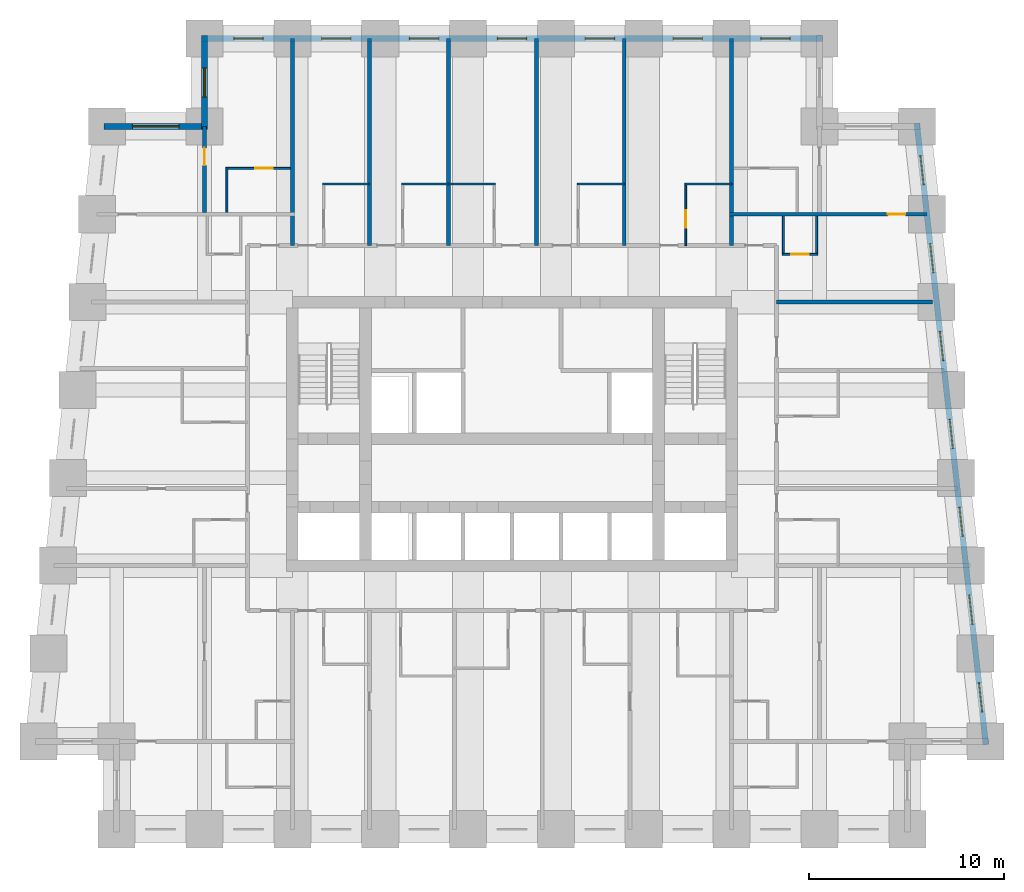
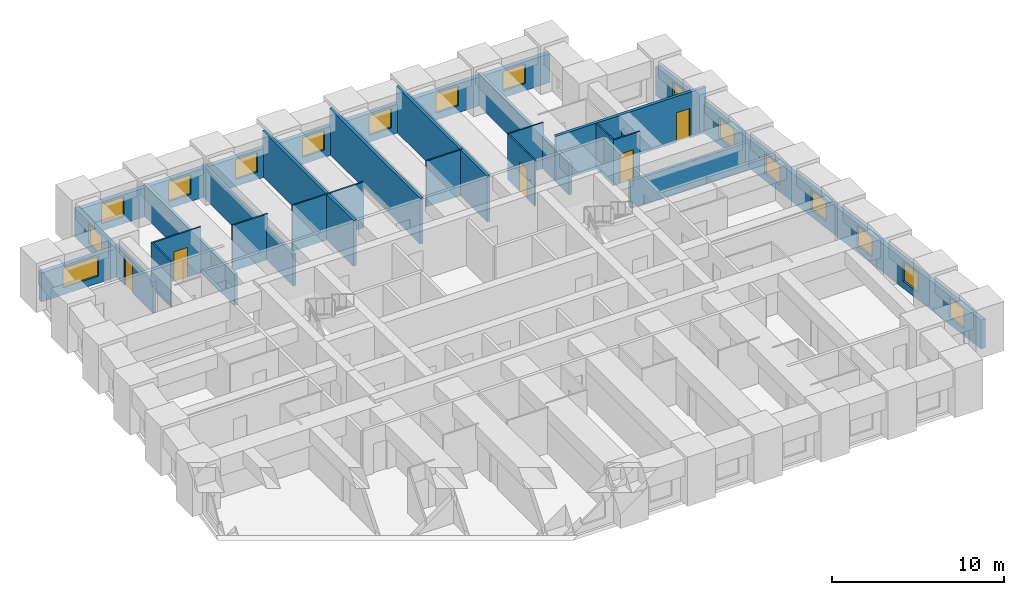
# One storey, part 6 of 8: 24 walls, 16 windows, 5 doors, 21 openings.
"""IFC4 building model written with IfcOpenShell, lengths in metres."""

from ifc_helpers import new_model, si_unit, direction, frame, frame_2d, origin, place, context, subcontext, project, spatial, rectangle, extrude, material, layer, layer_set, type_object, element, fill, save


model = new_model("IFC4")

# Units and contexts
model_context = context("Model", 3, precision=1e-05, world=origin(), true_north=direction((0.0, 1.0)))
body_context = subcontext(model_context, "Body", "Model", "MODEL_VIEW")
ifc_project = project(units=[si_unit("LENGTHUNIT", "METRE"), si_unit("AREAUNIT", "SQUARE_METRE"), si_unit("VOLUMEUNIT", "CUBIC_METRE"), si_unit("PLANEANGLEUNIT", "RADIAN"), si_unit("MASSUNIT", "GRAM", prefix="KILO")], contexts=[model_context])

# Site, building, storey
site_placement = place(None, origin())
site = spatial("IfcSite", under=ifc_project, at=site_placement, CompositionType="ELEMENT")
building_placement = place(site_placement, origin())
building = spatial("IfcBuilding", under=site, at=building_placement, Name="Kilele Tower Hotel", CompositionType="ELEMENT")
storey_placement = place(building_placement, frame((0.0, 0.0, 54.199951171875)))
storey = spatial("IfcBuildingStorey", under=building, at=storey_placement, Name="L12", CompositionType="ELEMENT", Elevation=54.199951171875)

# Walls
ifc_material_1 = material(Name="Moisture-resistant board")
ifc_layer_1 = layer(ifc_material_1, 0.10009765625)
ifc_layer_set_1 = layer_set([ifc_layer_1], Name="Moisture-resistant board")
wall_type_1 = type_object("IfcWallType", Name="Bathroom partition 100", PredefinedType="PLUMBINGWALL", material=ifc_layer_set_1)
for number, where, z_axis, x_axis, name in (
    (1, (15.050048828125, 33.050048828125, 0.0), (0.0, 0.0, 1.0), (1.0, 0.0, 0.0), "Bathroom partition 100 L12"),
    (2, (19.10009765625, 33.050048828125, 0.0), (0.0, 0.0, 1.0), (1.0, 0.0, 0.0), "Bathroom partition 100 L12"),
    (3, (21.5, 33.050048828125, 0.0), (0.0, 0.0, 1.0), (1.0, 0.0, 0.0), "Bathroom partition 100 L12"),
    (4, (28.10009765625, 33.050048828125, 0.0), (0.0, 0.0, 1.0), (1.0, 0.0, 0.0), "Bathroom partition 100 L12"),
    (5, (33.60009765625, 33.050048828125, 0.0), (0.0, 0.0, 1.0), (1.0, 0.0, 0.0), "Bathroom partition 100 L12"),
):
    element("IfcWall", number, at=place(storey_placement, frame(where, z_axis=z_axis, x_axis=x_axis)), inside=storey, type_object=wall_type_1, Name=name, PredefinedType="PLUMBINGWALL", context=body_context, shape_type="SweptSolid", body=[
        extrude(rectangle(XDim=2.39990234375, YDim=0.10009765625, at=frame_2d((1.199951171875, 0.0))), origin(), (0.0, 0.0, 1.0), 3.25),
    ])

# Wall, opening, door
wall_1_placement = place(storey_placement, frame((33.64990234375, 29.89990234375, 0.0), z_axis=(0.0, 0.0, 1.0), x_axis=(0.0, 1.0, 0.0)))
wall_1 = element("IfcWall", 6, at=wall_1_placement, inside=storey, type_object=wall_type_1, Name="Bathroom partition 100 L12", PredefinedType="PLUMBINGWALL", context=body_context, shape_type="SweptSolid", body=[
    extrude(rectangle(XDim=3.2001953125, YDim=0.10009765625, at=frame_2d((1.60009765625, 0.0))), origin(), (0.0, 0.0, 1.0), 3.25),
])
opening_1_placement = place(wall_1_placement, frame((0.89990234375, 0.0, 0.0)))
opening_1 = element("IfcOpeningElement", 7, at=opening_1_placement, cuts=wall_1, Name="Opening D2A", PredefinedType="OPENING", context=body_context, shape_type="SweptSolid", body=[
    extrude(rectangle(XDim=0.89990234375, YDim=2.10009765625, at=frame_2d((0.449951171875, 1.050048828125))), frame((0.0, 0.06005859375, 0.0), z_axis=(0.0, -1.0, 0.0), x_axis=(1.0, 0.0, 0.0)), (0.0, 0.0, 1.0), 0.1201171875),
])
ifc_material_2 = material(Name="Timber door leaf in hardwood frame", Category="wood")
door_type_1 = type_object("IfcDoorType", Name="Bathroom door 900", OperationType="SINGLE_SWING_LEFT", PredefinedType="DOOR", material=ifc_material_2)
door_1_placement = place(opening_1_placement, origin())
door_1 = element("IfcDoor", 8, at=door_1_placement, inside=storey, type_object=door_type_1, Name="Bathroom door 1213B", OperationType="SINGLE_SWING_LEFT", OverallHeight=2.10009765625, OverallWidth=0.89990234375, PredefinedType="DOOR", context=body_context, shape_type="SweptSolid", body=[
    extrude(rectangle(XDim=0.89990234375, YDim=2.10009765625, at=frame_2d((0.449951171875, 1.050048828125))), frame((0.0, 0.02490234375, 0.0), z_axis=(0.0, -1.0, 0.0), x_axis=(1.0, 0.0, 0.0)), (0.0, 0.0, 1.0), 0.050048828125),
])
fill(opening_1, door_1)

# Walls
wall_2_placement = place(storey_placement, frame((40.35009765625, 31.39990234375, 0.0), z_axis=(0.0, 0.0, 1.0), x_axis=(0.0, -1.0, 0.0)))
element("IfcWall", 9, at=wall_2_placement, inside=storey, type_object=wall_type_1, Name="Bathroom partition 100 L12", PredefinedType="PLUMBINGWALL", context=body_context, shape_type="SweptSolid", body=[
    extrude(rectangle(XDim=2.0, YDim=0.10009765625, at=frame_2d((1.0, 0.0))), origin(), (0.0, 0.0, 1.0), 2.25),
])
wall_3_placement = place(storey_placement, frame((38.64990234375, 31.39990234375, 0.0), z_axis=(0.0, 0.0, 1.0), x_axis=(0.0, -1.0, 0.0)))
element("IfcWall", 10, at=wall_3_placement, inside=storey, type_object=wall_type_1, Name="Bathroom partition 100 L12", PredefinedType="PLUMBINGWALL", context=body_context, shape_type="SweptSolid", body=[
    extrude(rectangle(XDim=2.0, YDim=0.10009765625, at=frame_2d((1.0, 0.0))), origin(), (0.0, 0.0, 1.0), 3.25),
])

# Wall, opening, door
wall_4_placement = place(storey_placement, frame((38.60009765625, 29.449951171875, 0.0), z_axis=(0.0, 0.0, 1.0), x_axis=(1.0, 0.0, 0.0)))
wall_4 = element("IfcWall", 11, at=wall_4_placement, inside=storey, type_object=wall_type_1, Name="Bathroom partition 100 L12", PredefinedType="PLUMBINGWALL", context=body_context, shape_type="SweptSolid", body=[
    extrude(rectangle(XDim=1.7998046875, YDim=0.10009765625, at=frame_2d((0.89990234375, 0.0))), origin(), (0.0, 0.0, 1.0), 3.25),
])
opening_2_placement = place(wall_4_placement, frame((1.349853515625, 0.0, 0.0), z_axis=(0.0, 0.0, 1.0), x_axis=(-1.0, 0.0, 0.0)))
opening_2 = element("IfcOpeningElement", 12, at=opening_2_placement, cuts=wall_4, Name="Opening D2A", PredefinedType="OPENING", context=body_context, shape_type="SweptSolid", body=[
    extrude(rectangle(XDim=0.89990234375, YDim=2.10009765625, at=frame_2d((0.449951171875, 1.050048828125))), frame((0.0, 0.06005859375, 0.0), z_axis=(0.0, -1.0, 0.0), x_axis=(1.0, 0.0, 0.0)), (0.0, 0.0, 1.0), 0.1201171875),
])
door_2_placement = place(opening_2_placement, origin())
door_2 = element("IfcDoor", 13, at=door_2_placement, inside=storey, type_object=door_type_1, Name="Bathroom door 1223P", OperationType="SINGLE_SWING_RIGHT", OverallHeight=2.10009765625, OverallWidth=0.89990234375, PredefinedType="DOOR", context=body_context, shape_type="SweptSolid", body=[
    extrude(rectangle(XDim=0.89990234375, YDim=2.10009765625, at=frame_2d((0.449951171875, 1.050048828125))), frame((0.0, 0.02490234375, 0.0), z_axis=(0.0, -1.0, 0.0), x_axis=(1.0, 0.0, 0.0)), (0.0, 0.0, 1.0), 0.050048828125),
])
fill(opening_2, door_2)

# Wall
wall_5_placement = place(storey_placement, frame((10.14990234375, 31.60009765625, 0.0), z_axis=(0.0, 0.0, 1.0), x_axis=(0.0, 1.0, 0.0)))
element("IfcWall", 14, at=wall_5_placement, inside=storey, type_object=wall_type_1, Name="Bathroom partition 100 L12", PredefinedType="PLUMBINGWALL", context=body_context, shape_type="SweptSolid", body=[
    extrude(rectangle(XDim=2.2998046875, YDim=0.10009765625, at=frame_2d((1.14990234375, 0.0))), origin(), (0.0, 0.0, 1.0), 3.25),
])

# Wall, opening, door
wall_6_placement = place(storey_placement, frame((13.39990234375, 33.85009765625, 0.0), z_axis=(0.0, 0.0, 1.0), x_axis=(-1.0, 0.0, 0.0)))
wall_6 = element("IfcWall", 15, at=wall_6_placement, inside=storey, type_object=wall_type_1, Name="Bathroom partition 100 L12", PredefinedType="PLUMBINGWALL", context=body_context, shape_type="SweptSolid", body=[
    extrude(rectangle(XDim=3.2998046875, YDim=0.10009765625, at=frame_2d((1.64990234375, 0.0))), origin(), (0.0, 0.0, 1.0), 3.25),
])
opening_3_placement = place(wall_6_placement, frame((1.7998046875, 0.0, 0.0), z_axis=(0.0, 0.0, 1.0), x_axis=(-1.0, 0.0, 0.0)))
opening_3 = element("IfcOpeningElement", 16, at=opening_3_placement, cuts=wall_6, Name="Opening D2A", PredefinedType="OPENING", context=body_context, shape_type="SweptSolid", body=[
    extrude(rectangle(XDim=0.89990234375, YDim=2.10009765625, at=frame_2d((0.449951171875, 1.050048828125))), frame((0.0, 0.06005859375, 0.0), z_axis=(0.0, -1.0, 0.0), x_axis=(1.0, 0.0, 0.0)), (0.0, 0.0, 1.0), 0.1201171875),
])
door_3_placement = place(opening_3_placement, origin())
door_3 = element("IfcDoor", 17, at=door_3_placement, inside=storey, type_object=door_type_1, Name="Bathroom door 1227B", OperationType="SINGLE_SWING_RIGHT", OverallHeight=2.10009765625, OverallWidth=0.89990234375, PredefinedType="DOOR", context=body_context, shape_type="SweptSolid", body=[
    extrude(rectangle(XDim=0.89990234375, YDim=2.10009765625, at=frame_2d((0.449951171875, 1.050048828125))), frame((0.0, 0.02490234375, 0.0), z_axis=(0.0, -1.0, 0.0), x_axis=(1.0, 0.0, 0.0)), (0.0, 0.0, 1.0), 0.050048828125),
])
fill(opening_3, door_3)

ifc_material_3 = material(Name="Blockwork, plastered both sides", Category="masonry")
ifc_layer_2 = layer(ifc_material_3, 0.199951171875)
ifc_layer_set_2 = layer_set([ifc_layer_2], Name="Blockwork, plastered both sides")
wall_type_2 = type_object("IfcWallType", Name="Partition wall 200", PredefinedType="PARTITIONING", material=ifc_layer_set_2)
wall_7_placement = place(storey_placement, frame((9.0, 31.60009765625, 0.0), z_axis=(0.0, 0.0, 1.0), x_axis=(0.0, 1.0, 0.0)))
wall_7 = element("IfcWall", 18, at=wall_7_placement, inside=storey, type_object=wall_type_2, Name="Partition wall 200 L12", PredefinedType="PARTITIONING", context=body_context, shape_type="SweptSolid", body=[
    extrude(rectangle(XDim=4.39990234375, YDim=0.199951171875, at=frame_2d((2.199951171875, 0.0))), origin(), (0.0, 0.0, 1.0), 2.25),
])
opening_4_placement = place(wall_7_placement, frame((2.39990234375, 0.0, 0.0)))
opening_4 = element("IfcOpeningElement", 19, at=opening_4_placement, cuts=wall_7, Name="Opening D3", PredefinedType="OPENING", context=body_context, shape_type="SweptSolid", body=[
    extrude(rectangle(XDim=0.89990234375, YDim=2.10009765625, at=frame_2d((0.449951171875, 1.050048828125))), frame((0.0, 0.10986328125, 0.0), z_axis=(0.0, -1.0, 0.0), x_axis=(1.0, 0.0, 0.0)), (0.0, 0.0, 1.0), 0.219970703125),
])
ifc_material_4 = material(Name="Timber door leaf in hardwood frame", Category="wood")
door_type_2 = type_object("IfcDoorType", Name="Suite internal door 900", OperationType="SINGLE_SWING_LEFT", PredefinedType="DOOR", material=ifc_material_4)
door_4_placement = place(opening_4_placement, origin())
door_4 = element("IfcDoor", 20, at=door_4_placement, inside=storey, type_object=door_type_2, Name="Suite door 1228", OperationType="SINGLE_SWING_RIGHT", OverallHeight=2.10009765625, OverallWidth=0.89990234375, PredefinedType="DOOR", context=body_context, shape_type="SweptSolid", body=[
    extrude(rectangle(XDim=0.89990234375, YDim=2.10009765625, at=frame_2d((0.449951171875, 1.050048828125))), frame((0.0, 0.02490234375, 0.0), z_axis=(0.0, -1.0, 0.0), x_axis=(1.0, 0.0, 0.0)), (0.0, 0.0, 1.0), 0.050048828125),
])
fill(opening_4, door_4)

# Walls
ifc_material_5 = material(Name="Blockwork, plastered both sides", Category="masonry")
ifc_layer_3 = layer(ifc_material_5, 0.199951171875)
ifc_layer_set_3 = layer_set([ifc_layer_3], Name="Blockwork, plastered both sides")
wall_type_3 = type_object("IfcWallType", Name="Party wall 200", PredefinedType="PARTITIONING", material=ifc_layer_set_3)
wall_8_placement = place(storey_placement, frame((17.449951171875, 29.89990234375, 0.0), z_axis=(0.0, 0.0, 1.0), x_axis=(0.0, 1.0, 0.0)))
element("IfcWall", 21, at=wall_8_placement, inside=storey, type_object=wall_type_3, Name="Party wall 200 L12", PredefinedType="PARTITIONING", context=body_context, shape_type="SweptSolid", body=[
    extrude(rectangle(XDim=10.60009765625, YDim=0.199951171875, at=frame_2d((5.300048828125, 0.0))), origin(), (0.0, 0.0, 1.0), 2.25),
])
for number, where, z_axis, x_axis, name in (
    (22, (21.5, 29.89990234375, 0.0), (0.0, 0.0, 1.0), (0.0, 1.0, 0.0), "Party wall 200 L12"),
    (23, (26.0, 29.89990234375, 0.0), (0.0, 0.0, 1.0), (0.0, 1.0, 0.0), "Party wall 200 L12"),
    (24, (30.5, 29.89990234375, 0.0), (0.0, 0.0, 1.0), (0.0, 1.0, 0.0), "Party wall 200 L12"),
):
    element("IfcWall", number, at=place(storey_placement, frame(where, z_axis=z_axis, x_axis=x_axis)), inside=storey, type_object=wall_type_3, Name=name, PredefinedType="PARTITIONING", context=body_context, shape_type="SweptSolid", body=[
        extrude(rectangle(XDim=10.60009765625, YDim=0.199951171875, at=frame_2d((5.300048828125, 0.0))), origin(), (0.0, 0.0, 1.0), 3.25),
    ])
wall_9_placement = place(storey_placement, frame((38.300048828125, 27.0, 0.0), z_axis=(0.0, 0.0, 1.0), x_axis=(1.0, 0.0, 0.0)))
element("IfcWall", 25, at=wall_9_placement, inside=storey, type_object=wall_type_3, Name="Party wall 200 L12", PredefinedType="PARTITIONING", context=body_context, shape_type="SweptSolid", body=[
    extrude(rectangle(XDim=7.976806640625, YDim=0.199951171875, at=frame_2d((3.98828125, 0.0))), origin(), (0.0, 0.0, 1.0), 1.949951171875),
])
wall_10_placement = place(storey_placement, frame((36.0, 29.89990234375, 0.0), z_axis=(0.0, 0.0, 1.0), x_axis=(0.0, 1.0, 0.0)))
element("IfcWall", 26, at=wall_10_placement, inside=storey, type_object=wall_type_3, Name="Party wall 200 L12", PredefinedType="PARTITIONING", context=body_context, shape_type="SweptSolid", body=[
    extrude(rectangle(XDim=10.60009765625, YDim=0.199951171875, at=frame_2d((5.300048828125, 0.0))), origin(), (0.0, 0.0, 1.0), 2.25),
])

# Wall, opening, door
wall_11_placement = place(storey_placement, frame((35.89990234375, 31.5, 0.0), z_axis=(0.0, 0.0, 1.0), x_axis=(1.0, 0.0, 0.0)))
wall_11 = element("IfcWall", 27, at=wall_11_placement, inside=storey, type_object=wall_type_3, Name="Party wall 200 L12", PredefinedType="PARTITIONING", context=body_context, shape_type="SweptSolid", body=[
    extrude(rectangle(XDim=10.09912109375, YDim=0.199951171875, at=frame_2d((5.049560546875, 0.0))), origin(), (0.0, 0.0, 1.0), 3.25),
])
opening_5_placement = place(wall_11_placement, frame((8.09912109375, 0.0, 0.0)))
opening_5 = element("IfcOpeningElement", 28, at=opening_5_placement, cuts=wall_11, Name="Opening D3", PredefinedType="OPENING", context=body_context, shape_type="SweptSolid", body=[
    extrude(rectangle(XDim=0.89990234375, YDim=2.10009765625, at=frame_2d((0.449951171875, 1.050048828125))), frame((0.0, 0.10986328125, 0.0), z_axis=(0.0, -1.0, 0.0), x_axis=(1.0, 0.0, 0.0)), (0.0, 0.0, 1.0), 0.219970703125),
])
door_5_placement = place(opening_5_placement, origin())
door_5 = element("IfcDoor", 29, at=door_5_placement, inside=storey, type_object=door_type_2, Name="Suite door 1224", OperationType="SINGLE_SWING_RIGHT", OverallHeight=2.10009765625, OverallWidth=0.89990234375, PredefinedType="DOOR", context=body_context, shape_type="SweptSolid", body=[
    extrude(rectangle(XDim=0.89990234375, YDim=2.10009765625, at=frame_2d((0.449951171875, 1.050048828125))), frame((0.0, 0.02490234375, 0.0), z_axis=(0.0, -1.0, 0.0), x_axis=(1.0, 0.0, 0.0)), (0.0, 0.0, 1.0), 0.050048828125),
])
fill(opening_5, door_5)

# Wall
wall_12_placement = place(storey_placement, frame((13.5, 29.89990234375, 0.0), z_axis=(0.0, 0.0, 1.0), x_axis=(0.0, 1.0, 0.0)))
element("IfcWall", 30, at=wall_12_placement, inside=storey, type_object=wall_type_3, Name="Party wall 200 L12", PredefinedType="PARTITIONING", context=body_context, shape_type="SweptSolid", body=[
    extrude(rectangle(XDim=10.60009765625, YDim=0.199951171875, at=frame_2d((5.300048828125, 0.0))), origin(), (0.0, 0.0, 1.0), 2.25),
])

# Wall, openings, windows
ifc_material_6 = material(Name="Concrete C40/50 precast", Category="concrete")
ifc_layer_4 = layer(ifc_material_6, 0.260009765625, Name="Precast backing", Category="LoadBearing")
ifc_material_7 = material(Name="Reconstituted stone finish", Category="masonry")
ifc_layer_5 = layer(ifc_material_7, 0.0400390625, Name="Face mix", Category="Finish")
ifc_layer_set_4 = layer_set([ifc_layer_4, ifc_layer_5], Name="Precast concrete C40/50, reconstituted stone finish")
wall_type_4 = type_object("IfcWallType", Name="Precast stone facade wall 300", PredefinedType="STANDARD", material=ifc_layer_set_4)
wall_13_placement = place(storey_placement, frame((49.0166015625, 4.350830078125, 0.0), z_axis=(0.0, 0.0, 1.0), x_axis=(-0.110433201132, 0.993883548555, 0.0)))
wall_13 = element("IfcWall", 31, at=wall_13_placement, inside=storey, type_object=wall_type_4, Name="Facade wall L12 edge 6", PredefinedType="STANDARD", context=body_context, shape_type="SweptSolid", body=[
    extrude(rectangle(XDim=31.994140625, YDim=0.300048828125, at=frame_2d((15.9970703125, 0.0))), origin(), (0.0, 0.0, 1.0), 2.050048828125),
])
opening_6_placement = place(wall_13_placement, frame((1.6640625, 0.0, 0.5)))
opening_6 = element("IfcOpeningElement", 32, at=opening_6_placement, cuts=wall_13, Name="Opening W1", PredefinedType="OPENING", context=body_context, shape_type="SweptSolid", body=[
    extrude(rectangle(XDim=1.5, YDim=1.39990234375, at=frame_2d((0.75, 0.699951171875))), frame((0.0, 0.159912109375, 0.0), z_axis=(0.0, -1.0, 0.0), x_axis=(1.0, 0.0, 0.0)), (0.0, 0.0, 1.0), 0.320068359375),
])
opening_7_placement = place(wall_13_placement, frame((6.19189453125, 0.0, 0.5)))
opening_7 = element("IfcOpeningElement", 33, at=opening_7_placement, cuts=wall_13, Name="Opening W1", PredefinedType="OPENING", context=body_context, shape_type="SweptSolid", body=[
    extrude(rectangle(XDim=1.5, YDim=1.39990234375, at=frame_2d((0.75, 0.699951171875))), frame((0.0, 0.159912109375, 0.0), z_axis=(0.0, -1.0, 0.0), x_axis=(1.0, 0.0, 0.0)), (0.0, 0.0, 1.0), 0.320068359375),
])
opening_8_placement = place(wall_13_placement, frame((10.718994140625, 0.0, 0.5)))
opening_8 = element("IfcOpeningElement", 34, at=opening_8_placement, cuts=wall_13, Name="Opening W1", PredefinedType="OPENING", context=body_context, shape_type="SweptSolid", body=[
    extrude(rectangle(XDim=1.5, YDim=1.39990234375, at=frame_2d((0.75, 0.699951171875))), frame((0.0, 0.159912109375, 0.0), z_axis=(0.0, -1.0, 0.0), x_axis=(1.0, 0.0, 0.0)), (0.0, 0.0, 1.0), 0.320068359375),
])
opening_9_placement = place(wall_13_placement, frame((15.2470703125, 0.0, 0.5)))
opening_9 = element("IfcOpeningElement", 35, at=opening_9_placement, cuts=wall_13, Name="Opening W1", PredefinedType="OPENING", context=body_context, shape_type="SweptSolid", body=[
    extrude(rectangle(XDim=1.5, YDim=1.39990234375, at=frame_2d((0.75, 0.699951171875))), frame((0.0, 0.159912109375, 0.0), z_axis=(0.0, -1.0, 0.0), x_axis=(1.0, 0.0, 0.0)), (0.0, 0.0, 1.0), 0.320068359375),
])
opening_10_placement = place(wall_13_placement, frame((19.77490234375, 0.0, 0.5)))
opening_10 = element("IfcOpeningElement", 36, at=opening_10_placement, cuts=wall_13, Name="Opening W1", PredefinedType="OPENING", context=body_context, shape_type="SweptSolid", body=[
    extrude(rectangle(XDim=1.5, YDim=1.39990234375, at=frame_2d((0.75, 0.699951171875))), frame((0.0, 0.159912109375, 0.0), z_axis=(0.0, -1.0, 0.0), x_axis=(1.0, 0.0, 0.0)), (0.0, 0.0, 1.0), 0.320068359375),
])
opening_11_placement = place(wall_13_placement, frame((24.302001953125, 0.0, 0.5)))
opening_11 = element("IfcOpeningElement", 37, at=opening_11_placement, cuts=wall_13, Name="Opening W1", PredefinedType="OPENING", context=body_context, shape_type="SweptSolid", body=[
    extrude(rectangle(XDim=1.5, YDim=1.39990234375, at=frame_2d((0.75, 0.699951171875))), frame((0.0, 0.159912109375, 0.0), z_axis=(0.0, -1.0, 0.0), x_axis=(1.0, 0.0, 0.0)), (0.0, 0.0, 1.0), 0.320068359375),
])
opening_12_placement = place(wall_13_placement, frame((28.830078125, 0.0, 0.5)))
opening_12 = element("IfcOpeningElement", 38, at=opening_12_placement, cuts=wall_13, Name="Opening W1", PredefinedType="OPENING", context=body_context, shape_type="SweptSolid", body=[
    extrude(rectangle(XDim=1.5, YDim=1.39990234375, at=frame_2d((0.75, 0.699951171875))), frame((0.0, 0.159912109375, 0.0), z_axis=(0.0, -1.0, 0.0), x_axis=(1.0, 0.0, 0.0)), (0.0, 0.0, 1.0), 0.320068359375),
])
ifc_material_8 = material(Name="Aluminium frame, clear double glazing", Category="aluminium")
window_type_1 = type_object("IfcWindowType", Name="Window W1 1500 x 1400", PartitioningType="SINGLE_PANEL", PredefinedType="WINDOW", material=ifc_material_8)
window_1_placement = place(opening_6_placement, origin())
window_1 = element("IfcWindow", 39, at=window_1_placement, inside=storey, type_object=window_type_1, Name="Window L12", OverallHeight=1.39990234375, OverallWidth=1.5, PartitioningType="SINGLE_PANEL", PredefinedType="WINDOW", context=body_context, shape_type="SweptSolid", body=[
    extrude(rectangle(XDim=1.5, YDim=1.39990234375, at=frame_2d((0.75, 0.699951171875))), frame((0.0, 0.030029296875, 0.0), z_axis=(0.0, -1.0, 0.0), x_axis=(1.0, 0.0, 0.0)), (0.0, 0.0, 1.0), 0.06005859375),
])
fill(opening_6, window_1)
window_2_placement = place(opening_7_placement, origin())
window_2 = element("IfcWindow", 40, at=window_2_placement, inside=storey, type_object=window_type_1, Name="Window L12", OverallHeight=1.39990234375, OverallWidth=1.5, PartitioningType="SINGLE_PANEL", PredefinedType="WINDOW", context=body_context, shape_type="SweptSolid", body=[
    extrude(rectangle(XDim=1.5, YDim=1.39990234375, at=frame_2d((0.75, 0.699951171875))), frame((0.0, 0.030029296875, 0.0), z_axis=(0.0, -1.0, 0.0), x_axis=(1.0, 0.0, 0.0)), (0.0, 0.0, 1.0), 0.06005859375),
])
fill(opening_7, window_2)
window_3_placement = place(opening_8_placement, origin())
window_3 = element("IfcWindow", 41, at=window_3_placement, inside=storey, type_object=window_type_1, Name="Window L12", OverallHeight=1.39990234375, OverallWidth=1.5, PartitioningType="SINGLE_PANEL", PredefinedType="WINDOW", context=body_context, shape_type="SweptSolid", body=[
    extrude(rectangle(XDim=1.5, YDim=1.39990234375, at=frame_2d((0.75, 0.699951171875))), frame((0.0, 0.030029296875, 0.0), z_axis=(0.0, -1.0, 0.0), x_axis=(1.0, 0.0, 0.0)), (0.0, 0.0, 1.0), 0.06005859375),
])
fill(opening_8, window_3)
window_4_placement = place(opening_9_placement, origin())
window_4 = element("IfcWindow", 42, at=window_4_placement, inside=storey, type_object=window_type_1, Name="Window L12", OverallHeight=1.39990234375, OverallWidth=1.5, PartitioningType="SINGLE_PANEL", PredefinedType="WINDOW", context=body_context, shape_type="SweptSolid", body=[
    extrude(rectangle(XDim=1.5, YDim=1.39990234375, at=frame_2d((0.75, 0.699951171875))), frame((0.0, 0.030029296875, 0.0), z_axis=(0.0, -1.0, 0.0), x_axis=(1.0, 0.0, 0.0)), (0.0, 0.0, 1.0), 0.06005859375),
])
fill(opening_9, window_4)
window_5_placement = place(opening_10_placement, origin())
window_5 = element("IfcWindow", 43, at=window_5_placement, inside=storey, type_object=window_type_1, Name="Window L12", OverallHeight=1.39990234375, OverallWidth=1.5, PartitioningType="SINGLE_PANEL", PredefinedType="WINDOW", context=body_context, shape_type="SweptSolid", body=[
    extrude(rectangle(XDim=1.5, YDim=1.39990234375, at=frame_2d((0.75, 0.699951171875))), frame((0.0, 0.030029296875, 0.0), z_axis=(0.0, -1.0, 0.0), x_axis=(1.0, 0.0, 0.0)), (0.0, 0.0, 1.0), 0.06005859375),
])
fill(opening_10, window_5)
window_6_placement = place(opening_11_placement, origin())
window_6 = element("IfcWindow", 44, at=window_6_placement, inside=storey, type_object=window_type_1, Name="Window L12", OverallHeight=1.39990234375, OverallWidth=1.5, PartitioningType="SINGLE_PANEL", PredefinedType="WINDOW", context=body_context, shape_type="SweptSolid", body=[
    extrude(rectangle(XDim=1.5, YDim=1.39990234375, at=frame_2d((0.75, 0.699951171875))), frame((0.0, 0.030029296875, 0.0), z_axis=(0.0, -1.0, 0.0), x_axis=(1.0, 0.0, 0.0)), (0.0, 0.0, 1.0), 0.06005859375),
])
fill(opening_11, window_6)
window_7_placement = place(opening_12_placement, origin())
window_7 = element("IfcWindow", 45, at=window_7_placement, inside=storey, type_object=window_type_1, Name="Window L12", OverallHeight=1.39990234375, OverallWidth=1.5, PartitioningType="SINGLE_PANEL", PredefinedType="WINDOW", context=body_context, shape_type="SweptSolid", body=[
    extrude(rectangle(XDim=1.5, YDim=1.39990234375, at=frame_2d((0.75, 0.699951171875))), frame((0.0, 0.030029296875, 0.0), z_axis=(0.0, -1.0, 0.0), x_axis=(1.0, 0.0, 0.0)), (0.0, 0.0, 1.0), 0.06005859375),
])
fill(opening_12, window_7)

wall_14_placement = place(storey_placement, frame((40.64990234375, 40.5, 0.0), z_axis=(0.0, 0.0, 1.0), x_axis=(-1.0, 0.0, 0.0)))
wall_14 = element("IfcWall", 46, at=wall_14_placement, inside=storey, type_object=wall_type_4, Name="Facade wall L12 edge 9", PredefinedType="STANDARD", context=body_context, shape_type="SweptSolid", body=[
    extrude(rectangle(XDim=31.7998046875, YDim=0.300048828125, at=frame_2d((15.89990234375, 0.0))), origin(), (0.0, 0.0, 1.0), 2.050048828125),
])
opening_13_placement = place(wall_14_placement, frame((1.64990234375, 0.0, 0.5)))
opening_13 = element("IfcOpeningElement", 47, at=opening_13_placement, cuts=wall_14, Name="Opening W1", PredefinedType="OPENING", context=body_context, shape_type="SweptSolid", body=[
    extrude(rectangle(XDim=1.5, YDim=1.39990234375, at=frame_2d((0.75, 0.699951171875))), frame((0.0, 0.159912109375, 0.0), z_axis=(0.0, -1.0, 0.0), x_axis=(1.0, 0.0, 0.0)), (0.0, 0.0, 1.0), 0.320068359375),
])
opening_14_placement = place(wall_14_placement, frame((6.14990234375, 0.0, 0.5)))
opening_14 = element("IfcOpeningElement", 48, at=opening_14_placement, cuts=wall_14, Name="Opening W1", PredefinedType="OPENING", context=body_context, shape_type="SweptSolid", body=[
    extrude(rectangle(XDim=1.5, YDim=1.39990234375, at=frame_2d((0.75, 0.699951171875))), frame((0.0, 0.159912109375, 0.0), z_axis=(0.0, -1.0, 0.0), x_axis=(1.0, 0.0, 0.0)), (0.0, 0.0, 1.0), 0.320068359375),
])
opening_15_placement = place(wall_14_placement, frame((10.64990234375, 0.0, 0.5)))
opening_15 = element("IfcOpeningElement", 49, at=opening_15_placement, cuts=wall_14, Name="Opening W1", PredefinedType="OPENING", context=body_context, shape_type="SweptSolid", body=[
    extrude(rectangle(XDim=1.5, YDim=1.39990234375, at=frame_2d((0.75, 0.699951171875))), frame((0.0, 0.159912109375, 0.0), z_axis=(0.0, -1.0, 0.0), x_axis=(1.0, 0.0, 0.0)), (0.0, 0.0, 1.0), 0.320068359375),
])
opening_16_placement = place(wall_14_placement, frame((15.14990234375, 0.0, 0.5)))
opening_16 = element("IfcOpeningElement", 50, at=opening_16_placement, cuts=wall_14, Name="Opening W1", PredefinedType="OPENING", context=body_context, shape_type="SweptSolid", body=[
    extrude(rectangle(XDim=1.5, YDim=1.39990234375, at=frame_2d((0.75, 0.699951171875))), frame((0.0, 0.159912109375, 0.0), z_axis=(0.0, -1.0, 0.0), x_axis=(1.0, 0.0, 0.0)), (0.0, 0.0, 1.0), 0.320068359375),
])
opening_17_placement = place(wall_14_placement, frame((19.64990234375, 0.0, 0.5)))
opening_17 = element("IfcOpeningElement", 51, at=opening_17_placement, cuts=wall_14, Name="Opening W1", PredefinedType="OPENING", context=body_context, shape_type="SweptSolid", body=[
    extrude(rectangle(XDim=1.5, YDim=1.39990234375, at=frame_2d((0.75, 0.699951171875))), frame((0.0, 0.159912109375, 0.0), z_axis=(0.0, -1.0, 0.0), x_axis=(1.0, 0.0, 0.0)), (0.0, 0.0, 1.0), 0.320068359375),
])
opening_18_placement = place(wall_14_placement, frame((24.14990234375, 0.0, 0.5)))
opening_18 = element("IfcOpeningElement", 52, at=opening_18_placement, cuts=wall_14, Name="Opening W1", PredefinedType="OPENING", context=body_context, shape_type="SweptSolid", body=[
    extrude(rectangle(XDim=1.5, YDim=1.39990234375, at=frame_2d((0.75, 0.699951171875))), frame((0.0, 0.159912109375, 0.0), z_axis=(0.0, -1.0, 0.0), x_axis=(1.0, 0.0, 0.0)), (0.0, 0.0, 1.0), 0.320068359375),
])
opening_19_placement = place(wall_14_placement, frame((28.64990234375, 0.0, 0.5)))
opening_19 = element("IfcOpeningElement", 53, at=opening_19_placement, cuts=wall_14, Name="Opening W1", PredefinedType="OPENING", context=body_context, shape_type="SweptSolid", body=[
    extrude(rectangle(XDim=1.5, YDim=1.39990234375, at=frame_2d((0.75, 0.699951171875))), frame((0.0, 0.159912109375, 0.0), z_axis=(0.0, -1.0, 0.0), x_axis=(1.0, 0.0, 0.0)), (0.0, 0.0, 1.0), 0.320068359375),
])
window_8_placement = place(opening_13_placement, origin())
window_8 = element("IfcWindow", 54, at=window_8_placement, inside=storey, type_object=window_type_1, Name="Window L12", OverallHeight=1.39990234375, OverallWidth=1.5, PartitioningType="SINGLE_PANEL", PredefinedType="WINDOW", context=body_context, shape_type="SweptSolid", body=[
    extrude(rectangle(XDim=1.5, YDim=1.39990234375, at=frame_2d((0.75, 0.699951171875))), frame((0.0, 0.030029296875, 0.0), z_axis=(0.0, -1.0, 0.0), x_axis=(1.0, 0.0, 0.0)), (0.0, 0.0, 1.0), 0.06005859375),
])
fill(opening_13, window_8)
window_9_placement = place(opening_14_placement, origin())
window_9 = element("IfcWindow", 55, at=window_9_placement, inside=storey, type_object=window_type_1, Name="Window L12", OverallHeight=1.39990234375, OverallWidth=1.5, PartitioningType="SINGLE_PANEL", PredefinedType="WINDOW", context=body_context, shape_type="SweptSolid", body=[
    extrude(rectangle(XDim=1.5, YDim=1.39990234375, at=frame_2d((0.75, 0.699951171875))), frame((0.0, 0.030029296875, 0.0), z_axis=(0.0, -1.0, 0.0), x_axis=(1.0, 0.0, 0.0)), (0.0, 0.0, 1.0), 0.06005859375),
])
fill(opening_14, window_9)
window_10_placement = place(opening_15_placement, origin())
window_10 = element("IfcWindow", 56, at=window_10_placement, inside=storey, type_object=window_type_1, Name="Window L12", OverallHeight=1.39990234375, OverallWidth=1.5, PartitioningType="SINGLE_PANEL", PredefinedType="WINDOW", context=body_context, shape_type="SweptSolid", body=[
    extrude(rectangle(XDim=1.5, YDim=1.39990234375, at=frame_2d((0.75, 0.699951171875))), frame((0.0, 0.030029296875, 0.0), z_axis=(0.0, -1.0, 0.0), x_axis=(1.0, 0.0, 0.0)), (0.0, 0.0, 1.0), 0.06005859375),
])
fill(opening_15, window_10)
window_11_placement = place(opening_16_placement, origin())
window_11 = element("IfcWindow", 57, at=window_11_placement, inside=storey, type_object=window_type_1, Name="Window L12", OverallHeight=1.39990234375, OverallWidth=1.5, PartitioningType="SINGLE_PANEL", PredefinedType="WINDOW", context=body_context, shape_type="SweptSolid", body=[
    extrude(rectangle(XDim=1.5, YDim=1.39990234375, at=frame_2d((0.75, 0.699951171875))), frame((0.0, 0.030029296875, 0.0), z_axis=(0.0, -1.0, 0.0), x_axis=(1.0, 0.0, 0.0)), (0.0, 0.0, 1.0), 0.06005859375),
])
fill(opening_16, window_11)
window_12_placement = place(opening_17_placement, origin())
window_12 = element("IfcWindow", 58, at=window_12_placement, inside=storey, type_object=window_type_1, Name="Window L12", OverallHeight=1.39990234375, OverallWidth=1.5, PartitioningType="SINGLE_PANEL", PredefinedType="WINDOW", context=body_context, shape_type="SweptSolid", body=[
    extrude(rectangle(XDim=1.5, YDim=1.39990234375, at=frame_2d((0.75, 0.699951171875))), frame((0.0, 0.030029296875, 0.0), z_axis=(0.0, -1.0, 0.0), x_axis=(1.0, 0.0, 0.0)), (0.0, 0.0, 1.0), 0.06005859375),
])
fill(opening_17, window_12)
window_13_placement = place(opening_18_placement, origin())
window_13 = element("IfcWindow", 59, at=window_13_placement, inside=storey, type_object=window_type_1, Name="Window L12", OverallHeight=1.39990234375, OverallWidth=1.5, PartitioningType="SINGLE_PANEL", PredefinedType="WINDOW", context=body_context, shape_type="SweptSolid", body=[
    extrude(rectangle(XDim=1.5, YDim=1.39990234375, at=frame_2d((0.75, 0.699951171875))), frame((0.0, 0.030029296875, 0.0), z_axis=(0.0, -1.0, 0.0), x_axis=(1.0, 0.0, 0.0)), (0.0, 0.0, 1.0), 0.06005859375),
])
fill(opening_18, window_13)
window_14_placement = place(opening_19_placement, origin())
window_14 = element("IfcWindow", 60, at=window_14_placement, inside=storey, type_object=window_type_1, Name="Window L12", OverallHeight=1.39990234375, OverallWidth=1.5, PartitioningType="SINGLE_PANEL", PredefinedType="WINDOW", context=body_context, shape_type="SweptSolid", body=[
    extrude(rectangle(XDim=1.5, YDim=1.39990234375, at=frame_2d((0.75, 0.699951171875))), frame((0.0, 0.030029296875, 0.0), z_axis=(0.0, -1.0, 0.0), x_axis=(1.0, 0.0, 0.0)), (0.0, 0.0, 1.0), 0.06005859375),
])
fill(opening_19, window_14)

# Wall, opening, window
wall_15_placement = place(storey_placement, frame((9.0, 40.64990234375, 0.0), z_axis=(0.0, 0.0, 1.0), x_axis=(0.0, -1.0, 0.0)))
wall_15 = element("IfcWall", 61, at=wall_15_placement, inside=storey, type_object=wall_type_4, Name="Facade wall L12 edge 10", PredefinedType="STANDARD", context=body_context, shape_type="SweptSolid", body=[
    extrude(rectangle(XDim=4.7998046875, YDim=0.300048828125, at=frame_2d((2.39990234375, 0.0))), origin(), (0.0, 0.0, 1.0), 2.050048828125),
])
opening_20_placement = place(wall_15_placement, frame((1.64990234375, 0.0, 0.5)))
opening_20 = element("IfcOpeningElement", 62, at=opening_20_placement, cuts=wall_15, Name="Opening W1", PredefinedType="OPENING", context=body_context, shape_type="SweptSolid", body=[
    extrude(rectangle(XDim=1.5, YDim=1.39990234375, at=frame_2d((0.75, 0.699951171875))), frame((0.0, 0.159912109375, 0.0), z_axis=(0.0, -1.0, 0.0), x_axis=(1.0, 0.0, 0.0)), (0.0, 0.0, 1.0), 0.320068359375),
])
window_15_placement = place(opening_20_placement, origin())
window_15 = element("IfcWindow", 63, at=window_15_placement, inside=storey, type_object=window_type_1, Name="Window L12", OverallHeight=1.39990234375, OverallWidth=1.5, PartitioningType="SINGLE_PANEL", PredefinedType="WINDOW", context=body_context, shape_type="SweptSolid", body=[
    extrude(rectangle(XDim=1.5, YDim=1.39990234375, at=frame_2d((0.75, 0.699951171875))), frame((0.0, 0.030029296875, 0.0), z_axis=(0.0, -1.0, 0.0), x_axis=(1.0, 0.0, 0.0)), (0.0, 0.0, 1.0), 0.06005859375),
])
fill(opening_20, window_15)

wall_16_placement = place(storey_placement, frame((9.14990234375, 36.0, 0.0), z_axis=(0.0, 0.0, 1.0), x_axis=(-1.0, 0.0, 0.0)))
wall_16 = element("IfcWall", 64, at=wall_16_placement, inside=storey, type_object=wall_type_4, Name="Facade wall L12 edge 11", PredefinedType="STANDARD", context=body_context, shape_type="SweptSolid", body=[
    extrude(rectangle(XDim=5.2998046875, YDim=0.300048828125, at=frame_2d((2.64990234375, 0.0))), origin(), (0.0, 0.0, 1.0), 2.050048828125),
])
opening_21_placement = place(wall_16_placement, frame((1.449951171875, 0.0, 0.5)))
opening_21 = element("IfcOpeningElement", 65, at=opening_21_placement, cuts=wall_16, Name="Opening W1", PredefinedType="OPENING", context=body_context, shape_type="SweptSolid", body=[
    extrude(rectangle(XDim=2.39990234375, YDim=1.39990234375, at=frame_2d((1.199951171875, 0.699951171875))), frame((0.0, 0.159912109375, 0.0), z_axis=(0.0, -1.0, 0.0), x_axis=(1.0, 0.0, 0.0)), (0.0, 0.0, 1.0), 0.320068359375),
])
ifc_material_9 = material(Name="Aluminium frame, clear double glazing", Category="aluminium")
window_type_2 = type_object("IfcWindowType", Name="Window W1 2400 x 1400", PartitioningType="SINGLE_PANEL", PredefinedType="WINDOW", material=ifc_material_9)
window_16_placement = place(opening_21_placement, origin())
window_16 = element("IfcWindow", 66, at=window_16_placement, inside=storey, type_object=window_type_2, Name="Window L12", OverallHeight=1.39990234375, OverallWidth=2.39990234375, PartitioningType="SINGLE_PANEL", PredefinedType="WINDOW", context=body_context, shape_type="SweptSolid", body=[
    extrude(rectangle(XDim=2.39990234375, YDim=1.39990234375, at=frame_2d((1.199951171875, 0.699951171875))), frame((0.0, 0.030029296875, 0.0), z_axis=(0.0, -1.0, 0.0), x_axis=(1.0, 0.0, 0.0)), (0.0, 0.0, 1.0), 0.06005859375),
])
fill(opening_21, window_16)

save(model, "model.ifc")
